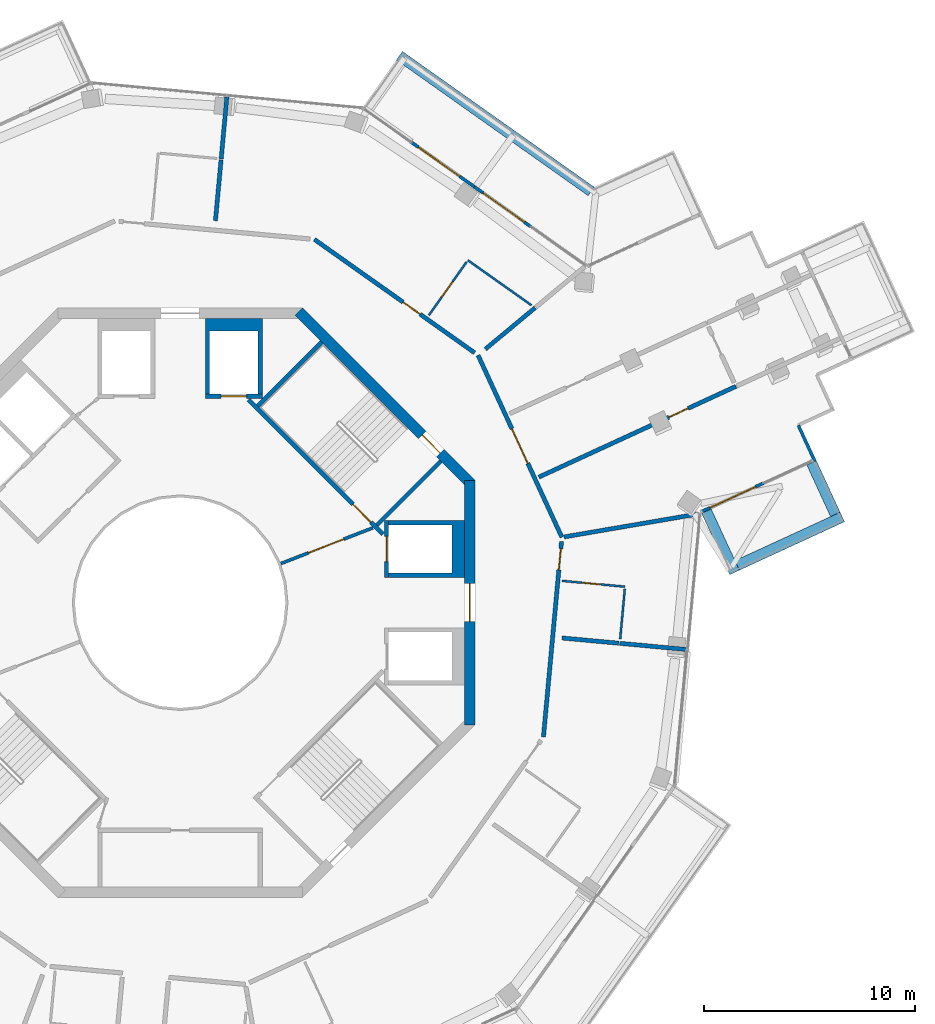
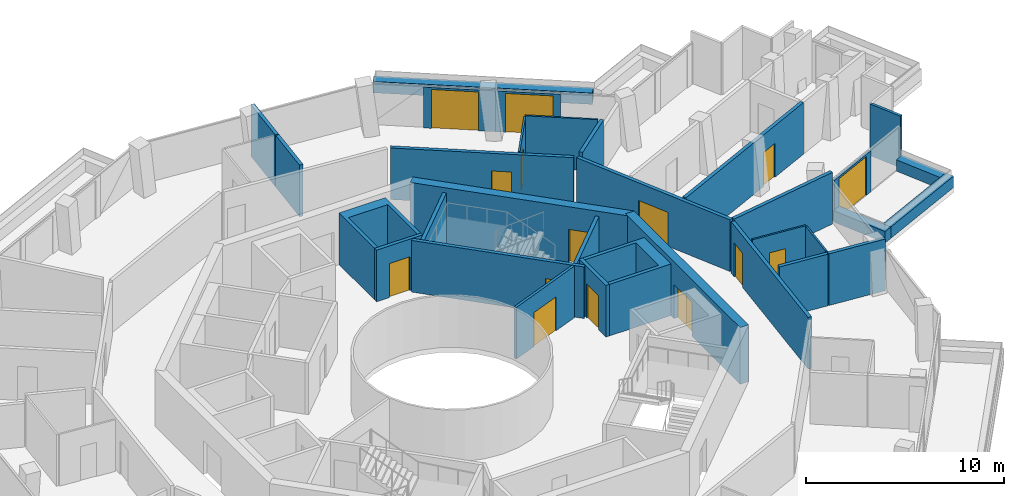
# One storey, part 19 of 23: 32 walls, 15 doors, 15 openings.
"""IFC4 building model written with IfcOpenShell, lengths in metres."""

import ifcopenshell
import ifcopenshell.guid

model = None  # the IFC model being written
_history = None  # IfcOwnerHistory: only IFC2X3 demands one
_inside = {}  # id of a spatial element -> (the spatial element, [elements in it])
_under = {}  # id of a project, library or spatial element -> (it, [spatial elements below it])
_declared = {}  # id of a project -> (the project, [libraries it declares])
_typed = {}  # id of a type object -> (the type object, [elements of that type])
_made_of = {}  # id of a material, layer set ... -> (it, [elements and type objects made of it])


def new_model(schema):
    """Start an empty IFC model of exactly this schema.

    Asked for "IFC4X3", IfcOpenShell would pick the latest addendum, in which some entities
    have other attributes; the version numbers below select the first issue.
    IFC2X3 requires an IfcOwnerHistory on every rooted entity: one is made here for all.
    """
    global model, _history
    if schema == "IFC4X3":
        model = ifcopenshell.file(schema_version=(4, 3, 0, 0))
    else:
        model = ifcopenshell.file(schema=schema)
    _inside.clear()
    _under.clear()
    _declared.clear()
    _typed.clear()
    _made_of.clear()
    _history = None
    if model.schema == "IFC2X3":
        org = make("IfcOrganization", Name="unknown")
        user = make(
            "IfcPersonAndOrganization",
            ThePerson=make("IfcPerson", FamilyName="unknown"),
            TheOrganization=org,
        )
        app = make(
            "IfcApplication",
            ApplicationDeveloper=org,
            Version="unknown",
            ApplicationFullName="unknown",
            ApplicationIdentifier="unknown",
        )
        _history = make(
            "IfcOwnerHistory",
            OwningUser=user,
            OwningApplication=app,
            ChangeAction="ADDED",
            CreationDate=0,
        )
    return model


def make(cls, **values):
    """One entity of the class cls with the attributes given. An attribute that is None is left unset."""
    return model.create_entity(
        cls, **{name: value for name, value in values.items() if value is not None}
    )


def rooted(cls, **values):
    """An entity with a GlobalId (a new one), such as an element, a storey or a relation."""
    return make(cls, GlobalId=ifcopenshell.guid.new(), OwnerHistory=_history, **values)


def si_unit(unit_type, name, prefix=None):
    """IfcSIUnit, for example si_unit("LENGTHUNIT", "METRE", prefix="MILLI")."""
    return make("IfcSIUnit", UnitType=unit_type, Prefix=prefix, Name=name)


def assignment(units):
    """IfcUnitAssignment: the units of a project."""
    return None if units is None else make("IfcUnitAssignment", Units=units)


def point(xyz):
    """IfcCartesianPoint."""
    return None if xyz is None else make("IfcCartesianPoint", Coordinates=xyz)


def direction(xyz):
    """IfcDirection."""
    return None if xyz is None else make("IfcDirection", DirectionRatios=xyz)


def frame(location, z_axis=None, x_axis=None):
    """IfcAxis2Placement3D, a coordinate frame: its origin and axes. An axis left out is left unset."""
    return make(
        "IfcAxis2Placement3D",
        Location=point(location),
        Axis=direction(z_axis),
        RefDirection=direction(x_axis),
    )


def frame_2d(location, x_axis=None):
    """IfcAxis2Placement2D, a coordinate frame in the plane: its origin and x axis."""
    return make(
        "IfcAxis2Placement2D", Location=point(location), RefDirection=direction(x_axis)
    )


def origin():
    """The frame at (0, 0, 0) with its axes left unset."""
    return frame((0.0, 0.0, 0.0))


def place(relative_to, where):
    """IfcLocalPlacement: puts the frame where relative to a parent placement (None: the world)."""
    return make(
        "IfcLocalPlacement", PlacementRelTo=relative_to, RelativePlacement=where
    )


def context(
    kind, dimensions, precision=None, world=None, true_north=None, identifier=None
):
    """IfcGeometricRepresentationContext, for example the 3D "Model" context."""
    return make(
        "IfcGeometricRepresentationContext",
        ContextIdentifier=identifier,
        ContextType=kind,
        CoordinateSpaceDimension=dimensions,
        Precision=precision,
        WorldCoordinateSystem=world,
        TrueNorth=true_north,
    )


def subcontext(parent, identifier, kind, view, scale=None):
    """IfcGeometricRepresentationSubContext, for example "Body" below "Model"."""
    return make(
        "IfcGeometricRepresentationSubContext",
        ContextIdentifier=identifier,
        ContextType=kind,
        ParentContext=parent,
        TargetScale=scale,
        TargetView=view,
    )


def project(units=None, contexts=None):
    """IfcProject with its units and contexts."""
    return rooted(
        "IfcProject",
        Name="project",
        RepresentationContexts=contexts,
        UnitsInContext=assignment(units),
    )


def spatial(cls, under=None, at=None, **own):
    """A site, building, storey or space (cls), placed at a placement, below another one or the project."""
    s = rooted(cls, ObjectPlacement=at, **own)
    if under is not None:
        _under.setdefault(under.id(), (under, []))[1].append(s)
    return s


def polyline(points):
    """IfcPolyline through the points."""
    return make("IfcPolyline", Points=[point(p) for p in points])


def profile(cls, at=None, kind="AREA", **sizes):
    """A parametric profile (cls). Its sizes go by their IFC names, for example OverallWidth=200.0."""
    return make(cls, ProfileType=kind, Position=at, **sizes)


def rectangle(**sizes):
    """IfcRectangleProfileDef."""
    return profile("IfcRectangleProfileDef", **sizes)


def outline(outer, holes=None, kind="AREA"):
    """IfcArbitraryClosedProfileDef: a profile drawn as a closed curve; with holes, ...WithVoids."""
    if holes is None:
        return make("IfcArbitraryClosedProfileDef", ProfileType=kind, OuterCurve=outer)
    return make(
        "IfcArbitraryProfileDefWithVoids",
        ProfileType=kind,
        OuterCurve=outer,
        InnerCurves=holes,
    )


def extrude(swept, where, along, depth):
    """IfcExtrudedAreaSolid: the profile swept, set in the frame where, extruded along a direction by depth."""
    return make(
        "IfcExtrudedAreaSolid",
        SweptArea=swept,
        Position=where,
        ExtrudedDirection=direction(along),
        Depth=depth,
    )


def shape(context_of_items, identifier, shape_type, items):
    """IfcShapeRepresentation: the items that make up one representation, for example the "Body"."""
    return make(
        "IfcShapeRepresentation",
        ContextOfItems=context_of_items,
        RepresentationIdentifier=identifier,
        RepresentationType=shape_type,
        Items=items,
    )


def material(Name=None, Category=None):
    """IfcMaterial."""
    return make("IfcMaterial", Name=Name, Category=Category)


def layer(
    of_material, thickness, ventilated=None, Name=None, Category=None, Priority=None
):
    """IfcMaterialLayer: one layer of a wall or slab, of a material (None: an air gap)."""
    return make(
        "IfcMaterialLayer",
        Material=of_material,
        LayerThickness=thickness,
        IsVentilated=ventilated,
        Name=Name,
        Category=Category,
        Priority=Priority,
    )


def layer_set(layers, Name=None):
    """IfcMaterialLayerSet."""
    return make("IfcMaterialLayerSet", MaterialLayers=layers, LayerSetName=Name)


def made_of(thing, what):
    """Note that an element or type object is made of a material, layer set ...; save() writes the relation."""
    if what is not None:
        _made_of.setdefault(what.id(), (what, []))[1].append(thing)
    return thing


def type_object(cls, material=None, **own):
    """A type object (cls), such as IfcWallType, which elements share."""
    return made_of(rooted(cls, **own), material)


def element(
    cls,
    number,
    at=None,
    inside=None,
    cuts=None,
    type_object=None,
    material=None,
    context=None,
    identifier="Body",
    shape_type=None,
    held_by="IfcProductDefinitionShape",
    body=None,
    shapes=None,
    **own,
):
    """One element of the class cls, such as IfcWall. Its Tag is "e" and its number.

    at: its placement. inside: the storey or other place that contains it. cuts: it is an
    opening in that element (IfcRelVoidsElement). A single representation is given by context,
    identifier, shape_type and body (its items); several are given by shapes. held_by: the class
    of the entity that holds the representations. save() writes the other relations.
    """
    e = rooted(cls, Tag="e%d" % number, ObjectPlacement=at, **own)
    if body is not None:
        shapes = [shape(context, identifier, shape_type, body)]
    if shapes is not None:
        e.Representation = make(held_by, Representations=shapes)
    if inside is not None:
        _inside.setdefault(inside.id(), (inside, []))[1].append(e)
    if cuts is not None:
        rooted(
            "IfcRelVoidsElement", RelatingBuildingElement=cuts, RelatedOpeningElement=e
        )
    if type_object is not None:
        _typed.setdefault(type_object.id(), (type_object, []))[1].append(e)
    return made_of(e, material)


def fill(opening, filler):
    """IfcRelFillsElement: the door or window that sits in an opening."""
    return rooted(
        "IfcRelFillsElement",
        RelatingOpeningElement=opening,
        RelatedBuildingElement=filler,
    )


def aggregate(whole, parts):
    """IfcRelAggregates: a whole, such as a stair, and the parts it consists of."""
    return rooted("IfcRelAggregates", RelatingObject=whole, RelatedObjects=parts)


def save(model, path):
    """Write the relations noted so far, then the file.

    IfcRelAggregates (storeys below a building ...), IfcRelContainedInSpatialStructure (elements
    in a storey), IfcRelDefinesByType, IfcRelAssociatesMaterial and IfcRelDeclares: one each for
    every whole, place, type object, material and project.
    """
    for whole, parts in _under.values():
        aggregate(whole, parts)
    for where, things in _inside.values():
        rooted(
            "IfcRelContainedInSpatialStructure",
            RelatedElements=things,
            RelatingStructure=where,
        )
    for kind, things in _typed.values():
        rooted("IfcRelDefinesByType", RelatedObjects=things, RelatingType=kind)
    for what, things in _made_of.values():
        rooted("IfcRelAssociatesMaterial", RelatedObjects=things, RelatingMaterial=what)
    for by, libraries in _declared.values():
        rooted("IfcRelDeclares", RelatingContext=by, RelatedDefinitions=libraries)
    model.write(path)


model = new_model("IFC4")

# Units and contexts
model_context = context("Model", 3, precision=1e-05, world=origin(), true_north=direction((0.0, 1.0)))
body_context = subcontext(model_context, "Body", "Model", "MODEL_VIEW")
ifc_project = project(units=[si_unit("LENGTHUNIT", "METRE"), si_unit("AREAUNIT", "SQUARE_METRE"), si_unit("VOLUMEUNIT", "CUBIC_METRE"), si_unit("PLANEANGLEUNIT", "RADIAN"), si_unit("MASSUNIT", "GRAM", prefix="KILO")], contexts=[model_context])

# Site, building, storey
site_placement = place(None, origin())
site = spatial("IfcSite", under=ifc_project, at=site_placement, CompositionType="ELEMENT")
building_placement = place(site_placement, origin())
building = spatial("IfcBuilding", under=site, at=building_placement, Name="Verdalira Terraces Hotel", CompositionType="ELEMENT")
storey_placement = place(building_placement, frame((0.0, 0.0, 256.0)))
storey = spatial("IfcBuildingStorey", under=building, at=storey_placement, Name="L63", CompositionType="ELEMENT", Elevation=256.0)

# Walls
ifc_material_1 = material(Name="Concrete C40", Category="concrete")
ifc_layer_1 = layer(ifc_material_1, 0.5)
ifc_layer_set_1 = layer_set([ifc_layer_1], Name="Balcony planter trough with tree")
wall_type_1 = type_object("IfcWallType", Name="Balcony planter trough with tree", PredefinedType="SOLIDWALL", material=ifc_layer_set_1)
wall_1_placement = place(storey_placement, frame((24.980957, 4.34375, 0.0), z_axis=(0.0, 0.0, 1.0), x_axis=(0.418225571, -0.908343202, 0.0)))
element("IfcWall", 1, at=wall_1_placement, inside=storey, type_object=wall_type_1, Name="Balcony planter", PredefinedType="SOLIDWALL", context=body_context, shape_type="SweptSolid", body=[
    extrude(rectangle(XDim=3.198975, YDim=0.5, at=frame_2d((1.599609, 0.0))), origin(), (0.0, 0.0, 1.0), 0.699951),
])
wall_2_placement = place(storey_placement, frame((26.441406, 1.769531, 0.0), z_axis=(0.0, 0.0, 1.0), x_axis=(0.90835683, 0.41819597, 0.0)))
element("IfcWall", 2, at=wall_2_placement, inside=storey, type_object=wall_type_1, Name="Balcony planter", PredefinedType="SOLIDWALL", context=body_context, shape_type="SweptSolid", body=[
    extrude(rectangle(XDim=5.49585, YDim=0.5, at=frame_2d((2.748047, 0.0))), origin(), (0.0, 0.0, 1.0), 0.699951),
])
wall_3_placement = place(storey_placement, frame((31.101807, 4.19043, 0.0), z_axis=(0.0, 0.0, 1.0), x_axis=(-0.418180333, 0.908364029, 0.0)))
element("IfcWall", 3, at=wall_3_placement, inside=storey, type_object=wall_type_1, Name="Balcony planter", PredefinedType="SOLIDWALL", context=body_context, shape_type="SweptSolid", body=[
    extrude(rectangle(XDim=2.698975, YDim=0.5, at=frame_2d((1.349609, 0.0))), origin(), (0.0, 0.0, 1.0), 0.699951),
])
wall_4_placement = place(storey_placement, frame((19.512695, 19.52417, 0.0), z_axis=(0.0, 0.0, 1.0), x_axis=(-0.816341876, 0.577568992, 0.0)))
element("IfcWall", 4, at=wall_4_placement, inside=storey, type_object=wall_type_1, Name="Balcony planter", PredefinedType="SOLIDWALL", context=body_context, shape_type="SweptSolid", body=[
    extrude(rectangle(XDim=11.1521, YDim=0.5, at=frame_2d((5.576172, 0.0))), origin(), (0.0, 0.0, 1.0), 0.699951),
])

# Wall, opening, door
ifc_material_2 = material(Name="Moisture-resistant gypsum board partition")
ifc_layer_2 = layer(ifc_material_2, 0.10009765625)
ifc_layer_set_2 = layer_set([ifc_layer_2], Name="Bathroom partition 100 mm")
wall_type_2 = type_object("IfcWallType", Name="Bathroom partition 100 mm", PredefinedType="PARTITIONING", material=ifc_layer_set_2)
wall_5_placement = place(storey_placement, frame((13.598145, 16.175293, 0.0), z_axis=(0.0, 0.0, 1.0), x_axis=(-0.577567137, -0.816343189, 0.0)))
wall_5 = element("IfcWall", 5, at=wall_5_placement, inside=storey, type_object=wall_type_2, Name="Bathroom partition", PredefinedType="PARTITIONING", context=body_context, shape_type="SweptSolid", body=[
    extrude(rectangle(XDim=3.100098, YDim=0.100098, at=frame_2d((1.550049, 0.0))), origin(), (0.0, 0.0, 1.0), 3.189941),
])
opening_1_placement = place(wall_5_placement, frame((1.149902, 0.0, 0.0)))
opening_1 = element("IfcOpeningElement", 6, at=opening_1_placement, cuts=wall_5, Name="Opening L63-126", PredefinedType="OPENING", context=body_context, shape_type="SweptSolid", body=[
    extrude(rectangle(XDim=0.899902, YDim=2.100098, at=frame_2d((0.449951, 1.050049))), frame((0.0, 0.060059, 0.0), z_axis=(0.0, -1.0, 0.0), x_axis=(1.0, 0.0, 0.0)), (0.0, 0.0, 1.0), 0.120117),
])
ifc_material_3 = material(Name="Timber door", Category="wood")
door_type_1 = type_object("IfcDoorType", Name="Bathroom door 900 x 2100", OperationType="NOTDEFINED", PredefinedType="DOOR", material=ifc_material_3)
door_1_placement = place(opening_1_placement, origin())
door_1 = element("IfcDoor", 7, at=door_1_placement, inside=storey, type_object=door_type_1, Name="Bathroom door 6311", OperationType="SINGLE_SWING_LEFT", OverallHeight=2.10009765625, OverallWidth=0.89990234375, PredefinedType="DOOR", context=body_context, shape_type="SweptSolid", body=[
    extrude(rectangle(XDim=0.899902, YDim=2.100098, at=frame_2d((0.449951, 1.050049))), frame((0.0, 0.024902, 0.0), z_axis=(0.0, -1.0, 0.0), x_axis=(1.0, 0.0, 0.0)), (0.0, 0.0, 1.0), 0.050049),
])
fill(opening_1, door_1)

# Wall
wall_6_placement = place(storey_placement, frame((13.656006, 16.256836, 0.0), z_axis=(0.0, 0.0, 1.0), x_axis=(0.816326196, -0.577591155, 0.0)))
element("IfcWall", 8, at=wall_6_placement, inside=storey, type_object=wall_type_2, Name="Bathroom partition", PredefinedType="PARTITIONING", context=body_context, shape_type="SweptSolid", body=[
    extrude(rectangle(XDim=3.704102, YDim=0.100098, at=frame_2d((1.852051, 0.0))), origin(), (0.0, 0.0, 1.0), 3.189941),
])

# Wall, opening, door
wall_7_placement = place(storey_placement, frame((21.11792, 0.76001, 0.0), z_axis=(0.0, 0.0, 1.0), x_axis=(-0.995762782, 0.091959132, 0.0)))
wall_7 = element("IfcWall", 9, at=wall_7_placement, inside=storey, type_object=wall_type_2, Name="Bathroom partition", PredefinedType="PARTITIONING", context=body_context, shape_type="SweptSolid", body=[
    extrude(rectangle(XDim=3.0, YDim=0.100098, at=frame_2d((1.5, 0.0))), origin(), (0.0, 0.0, 1.0), 3.189941),
])
opening_2_placement = place(wall_7_placement, frame((1.149902, 0.0, 0.0)))
opening_2 = element("IfcOpeningElement", 10, at=opening_2_placement, cuts=wall_7, Name="Opening L63-120", PredefinedType="OPENING", context=body_context, shape_type="SweptSolid", body=[
    extrude(rectangle(XDim=0.899902, YDim=2.100098, at=frame_2d((0.449951, 1.050049))), frame((0.0, 0.060059, 0.0), z_axis=(0.0, -1.0, 0.0), x_axis=(1.0, 0.0, 0.0)), (0.0, 0.0, 1.0), 0.120117),
])
door_2_placement = place(opening_2_placement, origin())
door_2 = element("IfcDoor", 11, at=door_2_placement, inside=storey, type_object=door_type_1, Name="Bathroom door 6309", OperationType="SINGLE_SWING_LEFT", OverallHeight=2.10009765625, OverallWidth=0.89990234375, PredefinedType="DOOR", context=body_context, shape_type="SweptSolid", body=[
    extrude(rectangle(XDim=0.899902, YDim=2.100098, at=frame_2d((0.449951, 1.050049))), frame((0.0, 0.024902, 0.0), z_axis=(0.0, -1.0, 0.0), x_axis=(1.0, 0.0, 0.0)), (0.0, 0.0, 1.0), 0.050049),
])
fill(opening_2, door_2)

# Walls
wall_8_placement = place(storey_placement, frame((21.108643, 0.6604, 0.0), z_axis=(0.0, 0.0, 1.0), x_axis=(-0.09205813, -0.995753634, 0.0)))
element("IfcWall", 12, at=wall_8_placement, inside=storey, type_object=wall_type_2, Name="Bathroom partition", PredefinedType="PARTITIONING", context=body_context, shape_type="SweptSolid", body=[
    extrude(rectangle(XDim=2.400146, YDim=0.100098, at=frame_2d((1.200195, 0.0))), origin(), (0.0, 0.0, 1.0), 3.189941),
])
ifc_material_4 = material(Name="Concrete C50", Category="concrete")
ifc_layer_3 = layer(ifc_material_4, 0.199951171875)
ifc_layer_set_3 = layer_set([ifc_layer_3], Name="Core RC wall 200 C50")
wall_type_3 = type_object("IfcWallType", Name="Core RC wall 200 C50", PredefinedType="SOLIDWALL", material=ifc_layer_set_3)
wall_9_placement = place(storey_placement, origin())
element("IfcWall", 13, at=wall_9_placement, inside=storey, type_object=wall_type_3, Name="L63 shaft wall E2", PredefinedType="SOLIDWALL", context=body_context, shape_type="SweptSolid", body=[
    extrude(outline(polyline([(13.5, 3.899902), (13.5, 1.199951), (9.899902, 1.199951), (9.899902, 1.399902), (12.899902, 1.399902), (12.899902, 3.699951), (9.899902, 3.699951), (9.899902, 3.899902), (13.5, 3.899902)])), origin(), (0.0, 0.0, 1.0), 3.189941),
])

# Wall, opening, door
wall_10_placement = place(storey_placement, frame((9.800049, 1.199951, 0.0), z_axis=(0.0, 0.0, 1.0), x_axis=(0.0, 1.0, 0.0)))
wall_10 = element("IfcWall", 14, at=wall_10_placement, inside=storey, type_object=wall_type_3, Name="L63 shaft front wall E2", PredefinedType="SOLIDWALL", context=body_context, shape_type="SweptSolid", body=[
    extrude(rectangle(XDim=2.699951, YDim=0.199951, at=frame_2d((1.350098, 0.0))), origin(), (0.0, 0.0, 1.0), 3.189941),
])
opening_3_placement = place(wall_10_placement, frame((0.75, 0.0, 0.0)))
opening_3 = element("IfcOpeningElement", 15, at=opening_3_placement, cuts=wall_10, Name="Opening LD-L63-803", PredefinedType="OPENING", context=body_context, shape_type="SweptSolid", body=[
    extrude(rectangle(XDim=1.199951, YDim=2.100098, at=frame_2d((0.600098, 1.050049))), frame((0.0, 0.109863, 0.0), z_axis=(0.0, -1.0, 0.0), x_axis=(1.0, 0.0, 0.0)), (0.0, 0.0, 1.0), 0.219971),
])
ifc_material_5 = material(Name="Stainless steel", Category="steel")
door_type_2 = type_object("IfcDoorType", Name="Landing door 1200 x 2100", OperationType="NOTDEFINED", PredefinedType="DOOR", material=ifc_material_5)
door_3_placement = place(opening_3_placement, origin())
door_3 = element("IfcDoor", 16, at=door_3_placement, inside=storey, type_object=door_type_2, Name="Lift landing door HR2 L63", OperationType="DOUBLE_DOOR_SLIDING", OverallHeight=2.10009765625, OverallWidth=1.199951171875, PredefinedType="DOOR", context=body_context, shape_type="SweptSolid", body=[
    extrude(rectangle(XDim=1.199951, YDim=2.100098, at=frame_2d((0.600098, 1.050049))), frame((0.0, 0.024902, 0.0), z_axis=(0.0, -1.0, 0.0), x_axis=(1.0, 0.0, 0.0)), (0.0, 0.0, 1.0), 0.050049),
])
fill(opening_3, door_3)

# Wall
wall_11_placement = place(storey_placement, origin())
element("IfcWall", 17, at=wall_11_placement, inside=storey, type_object=wall_type_3, Name="L63 shaft wall N1", PredefinedType="SOLIDWALL", context=body_context, shape_type="SweptSolid", body=[
    extrude(outline(polyline([(3.899902, 9.899902), (3.699951, 9.899902), (3.699951, 12.899902), (1.399902, 12.899902), (1.399902, 9.899902), (1.199951, 9.899902), (1.199951, 13.5), (3.899902, 13.5), (3.899902, 9.899902)])), origin(), (0.0, 0.0, 1.0), 3.189941),
])

# Wall, opening, door
wall_12_placement = place(storey_placement, frame((1.199951, 9.800049, 0.0), z_axis=(0.0, 0.0, 1.0), x_axis=(1.0, 0.0, 0.0)))
wall_12 = element("IfcWall", 18, at=wall_12_placement, inside=storey, type_object=wall_type_3, Name="L63 shaft front wall N1", PredefinedType="SOLIDWALL", context=body_context, shape_type="SweptSolid", body=[
    extrude(rectangle(XDim=2.699951, YDim=0.199951, at=frame_2d((1.350098, 0.0))), origin(), (0.0, 0.0, 1.0), 3.189941),
])
opening_4_placement = place(wall_12_placement, frame((0.75, 0.0, 0.0)))
opening_4 = element("IfcOpeningElement", 19, at=opening_4_placement, cuts=wall_12, Name="Opening LD-L63-804", PredefinedType="OPENING", context=body_context, shape_type="SweptSolid", body=[
    extrude(rectangle(XDim=1.199951, YDim=2.100098, at=frame_2d((0.600098, 1.050049))), frame((0.0, 0.109863, 0.0), z_axis=(0.0, -1.0, 0.0), x_axis=(1.0, 0.0, 0.0)), (0.0, 0.0, 1.0), 0.219971),
])
door_4_placement = place(opening_4_placement, origin())
door_4 = element("IfcDoor", 20, at=door_4_placement, inside=storey, type_object=door_type_2, Name="Lift landing door HR3 L63", OperationType="DOUBLE_DOOR_SLIDING", OverallHeight=2.10009765625, OverallWidth=1.199951171875, PredefinedType="DOOR", context=body_context, shape_type="SweptSolid", body=[
    extrude(rectangle(XDim=1.199951, YDim=2.100098, at=frame_2d((0.600098, 1.050049))), frame((0.0, 0.024902, 0.0), z_axis=(0.0, -1.0, 0.0), x_axis=(1.0, 0.0, 0.0)), (0.0, 0.0, 1.0), 0.050049),
])
fill(opening_4, door_4)

wall_13_placement = place(storey_placement, frame((3.23999, 9.629395, 0.0), z_axis=(0.0, 0.0, 1.0), x_axis=(0.707106781, -0.707106781, 0.0)))
wall_13 = element("IfcWall", 21, at=wall_13_placement, inside=storey, type_object=wall_type_3, Name="L63 stair ST1 front wall", PredefinedType="SOLIDWALL", context=body_context, shape_type="SweptSolid", body=[
    extrude(rectangle(XDim=9.035889, YDim=0.199951, at=frame_2d((4.518066, 0.0))), origin(), (0.0, 0.0, 1.0), 3.189941),
])
opening_5_placement = place(wall_13_placement, frame((7.017822, 0.0, 0.0)))
opening_5 = element("IfcOpeningElement", 22, at=opening_5_placement, cuts=wall_13, Name="Opening L63-810", PredefinedType="OPENING", context=body_context, shape_type="SweptSolid", body=[
    extrude(rectangle(XDim=1.199951, YDim=2.100098, at=frame_2d((0.600098, 1.050049))), frame((0.0, 0.109863, 0.0), z_axis=(0.0, -1.0, 0.0), x_axis=(1.0, 0.0, 0.0)), (0.0, 0.0, 1.0), 0.219971),
])
ifc_material_6 = material(Name="Steel fire door", Category="steel")
door_type_3 = type_object("IfcDoorType", Name="Stair door 1200 x 2100", OperationType="NOTDEFINED", PredefinedType="DOOR", material=ifc_material_6)
door_5_placement = place(opening_5_placement, origin())
door_5 = element("IfcDoor", 23, at=door_5_placement, inside=storey, type_object=door_type_3, Name="Stair door ST1 L63", OperationType="SINGLE_SWING_RIGHT", OverallHeight=2.10009765625, OverallWidth=1.199951171875, PredefinedType="DOOR", context=body_context, shape_type="SweptSolid", body=[
    extrude(rectangle(XDim=1.199951, YDim=2.100098, at=frame_2d((0.600098, 1.050049))), frame((0.0, 0.024902, 0.0), z_axis=(0.0, -1.0, 0.0), x_axis=(1.0, 0.0, 0.0)), (0.0, 0.0, 1.0), 0.050049),
])
fill(opening_5, door_5)

# Walls
for number, where, z_axis, x_axis, name in (
    (24, (9.33374, 3.677002, 0.0), (0.0, 0.0, 1.0), (0.707135168, 0.707078393, 0.0), "L63 stair ST1 end wall 1"),
    (25, (3.677002, 9.33374, 0.0), (0.0, 0.0, 1.0), (0.707078393, 0.707135168, 0.0), "L63 stair ST1 end wall 2"),
):
    element("IfcWall", number, at=place(storey_placement, frame(where, z_axis=z_axis, x_axis=x_axis)), inside=storey, type_object=wall_type_3, Name=name, PredefinedType="SOLIDWALL", context=body_context, shape_type="SweptSolid", body=[
        extrude(rectangle(XDim=4.300049, YDim=0.199951, at=frame_2d((2.149902, 0.0))), origin(), (0.0, 0.0, 1.0), 3.189941),
    ])

# Wall, opening, door
ifc_material_7 = material(Name="Gypsum board partition")
ifc_layer_4 = layer(ifc_material_7, 0.14990234375)
ifc_layer_set_4 = layer_set([ifc_layer_4], Name="Core partition 150 mm")
wall_type_4 = type_object("IfcWallType", Name="Core partition 150 mm", PredefinedType="PARTITIONING", material=ifc_layer_set_4)
wall_14_placement = place(storey_placement, frame((4.781982, 1.857178, 0.0), z_axis=(0.0, 0.0, 1.0), x_axis=(0.932155279, 0.362058746, 0.0)))
wall_14 = element("IfcWall", 26, at=wall_14_placement, inside=storey, type_object=wall_type_4, Name="Gallery fire partition L63", PredefinedType="PARTITIONING", context=body_context, shape_type="SweptSolid", body=[
    extrude(rectangle(XDim=4.682373, YDim=0.149902, at=frame_2d((2.341309, 0.0))), origin(), (0.0, 0.0, 1.0), 3.189941),
])
opening_6_placement = place(wall_14_placement, frame((1.399902, 0.0, 0.0)))
opening_6 = element("IfcOpeningElement", 27, at=opening_6_placement, cuts=wall_14, Name="Opening L63-823", PredefinedType="OPENING", context=body_context, shape_type="SweptSolid", body=[
    extrude(rectangle(XDim=1.800049, YDim=2.100098, at=frame_2d((0.899902, 1.050049))), frame((0.0, 0.084961, 0.0), z_axis=(0.0, -1.0, 0.0), x_axis=(1.0, 0.0, 0.0)), (0.0, 0.0, 1.0), 0.169922),
])
ifc_material_8 = material(Name="Steel fire door", Category="steel")
door_type_4 = type_object("IfcDoorType", Name="Gallery fire door pair 1800 x 2100", OperationType="NOTDEFINED", PredefinedType="DOOR", material=ifc_material_8)
door_6_placement = place(opening_6_placement, origin())
door_6 = element("IfcDoor", 28, at=door_6_placement, inside=storey, type_object=door_type_4, Name="Door L63 split0", OperationType="DOUBLE_DOOR_SINGLE_SWING", OverallHeight=2.10009765625, OverallWidth=1.800048828125, PredefinedType="DOOR", context=body_context, shape_type="SweptSolid", body=[
    extrude(rectangle(XDim=1.800049, YDim=2.100098, at=frame_2d((0.899902, 1.050049))), frame((0.0, 0.024902, 0.0), z_axis=(0.0, -1.0, 0.0), x_axis=(1.0, 0.0, 0.0)), (0.0, 0.0, 1.0), 0.050049),
])
fill(opening_6, door_6)

ifc_material_9 = material(Name="Concrete C50", Category="concrete")
ifc_layer_5 = layer(ifc_material_9, 0.5)
ifc_layer_set_5 = layer_set([ifc_layer_5], Name="Core wall 500 C50")
wall_type_5 = type_object("IfcWallType", Name="Core wall 500 C50", PredefinedType="SHEAR", material=ifc_layer_set_5)
wall_15_placement = place(storey_placement, frame((13.75, -5.799072, 0.0), z_axis=(0.0, 0.0, 1.0), x_axis=(0.0, 1.0, 0.0)))
wall_15 = element("IfcWall", 29, at=wall_15_placement, inside=storey, type_object=wall_type_5, Name="Core wall CW-L63-1", PredefinedType="SHEAR", context=body_context, shape_type="SweptSolid", body=[
    extrude(rectangle(XDim=11.598145, YDim=0.5, at=frame_2d((5.799072, 0.0))), origin(), (0.0, 0.0, 1.0), 3.5),
])
opening_7_placement = place(wall_15_placement, frame((4.898926, 0.0, 0.0)))
opening_7 = element("IfcOpeningElement", 30, at=opening_7_placement, cuts=wall_15, Name="Opening L63-813", PredefinedType="OPENING", context=body_context, shape_type="SweptSolid", body=[
    extrude(rectangle(XDim=1.800049, YDim=2.100098, at=frame_2d((0.899902, 1.050049))), frame((0.0, 0.26001, 0.0), z_axis=(0.0, -1.0, 0.0), x_axis=(1.0, 0.0, 0.0)), (0.0, 0.0, 1.0), 0.52002),
])
ifc_material_10 = material(Name="Steel fire door", Category="steel")
door_type_5 = type_object("IfcDoorType", Name="Core entry door pair 1800 x 2100", OperationType="NOTDEFINED", PredefinedType="DOOR", material=ifc_material_10)
door_7_placement = place(opening_7_placement, origin())
door_7 = element("IfcDoor", 31, at=door_7_placement, inside=storey, type_object=door_type_5, Name="Core entry door L63 0", OperationType="DOUBLE_DOOR_SINGLE_SWING", OverallHeight=2.10009765625, OverallWidth=1.800048828125, PredefinedType="DOOR", context=body_context, shape_type="SweptSolid", body=[
    extrude(rectangle(XDim=1.800049, YDim=2.100098, at=frame_2d((0.899902, 1.050049))), frame((0.0, 0.024902, 0.0), z_axis=(0.0, -1.0, 0.0), x_axis=(1.0, 0.0, 0.0)), (0.0, 0.0, 1.0), 0.050049),
])
fill(opening_7, door_7)

wall_16_placement = place(storey_placement, frame((13.823242, 5.622314, 0.0), z_axis=(0.0, 0.0, 1.0), x_axis=(-0.707106781, 0.707106781, 0.0)))
wall_16 = element("IfcWall", 32, at=wall_16_placement, inside=storey, type_object=wall_type_5, Name="Core wall CW-L63-2", PredefinedType="SHEAR", context=body_context, shape_type="SweptSolid", body=[
    extrude(rectangle(XDim=11.5979, YDim=0.5, at=frame_2d((5.798828, 0.0))), origin(), (0.0, 0.0, 1.0), 3.5),
])
opening_8_placement = place(wall_16_placement, frame((2.099121, 0.0, 0.0)))
opening_8 = element("IfcOpeningElement", 33, at=opening_8_placement, cuts=wall_16, Name="Opening L63-816", PredefinedType="OPENING", context=body_context, shape_type="SweptSolid", body=[
    extrude(rectangle(XDim=1.199951, YDim=2.100098, at=frame_2d((0.600098, 1.050049))), frame((0.0, 0.26001, 0.0), z_axis=(0.0, -1.0, 0.0), x_axis=(1.0, 0.0, 0.0)), (0.0, 0.0, 1.0), 0.52002),
])
door_8_placement = place(opening_8_placement, origin())
door_8 = element("IfcDoor", 34, at=door_8_placement, inside=storey, type_object=door_type_3, Name="Stair exit door ST1 L63", OperationType="SINGLE_SWING_LEFT", OverallHeight=2.10009765625, OverallWidth=1.199951171875, PredefinedType="DOOR", context=body_context, shape_type="SweptSolid", body=[
    extrude(rectangle(XDim=1.199951, YDim=2.100098, at=frame_2d((0.600098, 1.050049))), frame((0.0, 0.024902, 0.0), z_axis=(0.0, -1.0, 0.0), x_axis=(1.0, 0.0, 0.0)), (0.0, 0.0, 1.0), 0.050049),
])
fill(opening_8, door_8)

# Walls
ifc_material_11 = material(Name="Fire-rated gypsum board wall")
ifc_layer_6 = layer(ifc_material_11, 0.199951171875)
ifc_layer_set_6 = layer_set([ifc_layer_6], Name="Demising wall 200 mm")
wall_type_6 = type_object("IfcWallType", Name="Demising wall 200 mm", PredefinedType="SOLIDWALL", material=ifc_layer_set_6)
wall_17_placement = place(storey_placement, frame((1.675293, 18.128418, 0.0), z_axis=(0.0, 0.0, 1.0), x_axis=(0.092036166, 0.995755665, 0.0)))
element("IfcWall", 35, at=wall_17_placement, inside=storey, type_object=wall_type_6, Name="Demising wall", PredefinedType="SOLIDWALL", context=body_context, shape_type="SweptSolid", body=[
    extrude(rectangle(XDim=2.904541, YDim=0.199951, at=frame_2d((1.452148, 0.0))), origin(), (0.0, 0.0, 1.0), 3.189941),
])
wall_18_placement = place(storey_placement, frame((1.947021, 21.06665, 0.0), z_axis=(0.0, 0.0, 1.0), x_axis=(0.091967389, 0.995762019, 0.0)))
element("IfcWall", 36, at=wall_18_placement, inside=storey, type_object=wall_type_6, Name="Demising wall", PredefinedType="SOLIDWALL", context=body_context, shape_type="SweptSolid", body=[
    extrude(rectangle(XDim=2.951904, YDim=0.199951, at=frame_2d((1.476074, 0.0))), origin(), (0.0, 0.0, 1.0), 3.189941),
])
wall_19_placement = place(storey_placement, frame((14.485107, 12.03418, 0.0), z_axis=(0.0, 0.0, 1.0), x_axis=(0.769138135, 0.639082569, 0.0)))
element("IfcWall", 37, at=wall_19_placement, inside=storey, type_object=wall_type_6, Name="Demising wall", PredefinedType="SOLIDWALL", context=body_context, shape_type="SweptSolid", body=[
    extrude(rectangle(XDim=3.074951, YDim=0.199951, at=frame_2d((1.537598, 0.0))), origin(), (0.0, 0.0, 1.0), 3.189941),
])
wall_20_placement = place(storey_placement, frame((18.128418, -1.675293, 0.0), z_axis=(0.0, 0.0, 1.0), x_axis=(0.995752176, -0.092073903, 0.0)))
element("IfcWall", 38, at=wall_20_placement, inside=storey, type_object=wall_type_6, Name="Demising wall", PredefinedType="SOLIDWALL", context=body_context, shape_type="SweptSolid", body=[
    extrude(rectangle(XDim=2.70459, YDim=0.199951, at=frame_2d((1.352295, 0.0))), origin(), (0.0, 0.0, 1.0), 3.189941),
])
wall_21_placement = place(storey_placement, frame((24.605713, 4.214844, 0.0), z_axis=(0.0, 0.0, 1.0), x_axis=(-0.985640008, -0.16886022, 0.0)))
element("IfcWall", 39, at=wall_21_placement, inside=storey, type_object=wall_type_6, Name="Demising wall", PredefinedType="SOLIDWALL", context=body_context, shape_type="SweptSolid", body=[
    extrude(rectangle(XDim=6.47583, YDim=0.199951, at=frame_2d((3.237793, 0.0))), origin(), (0.0, 0.0, 1.0), 3.189941),
])

# Wall, opening, door
wall_22_placement = place(storey_placement, frame((26.383545, 10.269531, 0.0), z_axis=(0.0, 0.0, 1.0), x_axis=(-0.908353644, -0.41820289, 0.0)))
wall_22 = element("IfcWall", 40, at=wall_22_placement, inside=storey, type_object=wall_type_6, Name="Demising wall", PredefinedType="SOLIDWALL", context=body_context, shape_type="SweptSolid", body=[
    extrude(rectangle(XDim=10.302002, YDim=0.199951, at=frame_2d((5.150879, 0.0))), origin(), (0.0, 0.0, 1.0), 3.189941),
])
opening_9_placement = place(wall_22_placement, frame((2.5, 0.0, 0.0)))
opening_9 = element("IfcOpeningElement", 41, at=opening_9_placement, cuts=wall_22, Name="Opening L63-122", PredefinedType="OPENING", context=body_context, shape_type="SweptSolid", body=[
    extrude(rectangle(XDim=1.0, YDim=2.100098, at=frame_2d((0.5, 1.050049))), frame((0.0, 0.109863, 0.0), z_axis=(0.0, -1.0, 0.0), x_axis=(1.0, 0.0, 0.0)), (0.0, 0.0, 1.0), 0.219971),
])
ifc_material_12 = material(Name="Timber fire door", Category="wood")
door_type_6 = type_object("IfcDoorType", Name="Public room door 1000 x 2100", OperationType="NOTDEFINED", PredefinedType="DOOR", material=ifc_material_12)
door_9_placement = place(opening_9_placement, origin())
door_9 = element("IfcDoor", 42, at=door_9_placement, inside=storey, type_object=door_type_6, Name="Public room door 6310", OperationType="SINGLE_SWING_LEFT", OverallHeight=2.10009765625, OverallWidth=1.0, PredefinedType="DOOR", context=body_context, shape_type="SweptSolid", body=[
    extrude(rectangle(XDim=1.0, YDim=2.100098, at=frame_2d((0.5, 1.050049))), frame((0.0, 0.024902, 0.0), z_axis=(0.0, -1.0, 0.0), x_axis=(1.0, 0.0, 0.0)), (0.0, 0.0, 1.0), 0.050049),
])
fill(opening_9, door_9)

# Wall
wall_23_placement = place(storey_placement, frame((20.867432, -1.928467, 0.0), z_axis=(0.0, 0.0, 1.0), x_axis=(0.995757513, -0.092016173, 0.0)))
element("IfcWall", 43, at=wall_23_placement, inside=storey, type_object=wall_type_6, Name="Demising wall", PredefinedType="SOLIDWALL", context=body_context, shape_type="SweptSolid", body=[
    extrude(rectangle(XDim=3.1521, YDim=0.199951, at=frame_2d((1.576172, 0.0))), origin(), (0.0, 0.0, 1.0), 3.189941),
])

# Wall, opening, door
ifc_material_13 = material(Name="Fire-rated gypsum board wall")
ifc_layer_7 = layer(ifc_material_13, 0.199951171875)
ifc_layer_set_7 = layer_set([ifc_layer_7], Name="Guest corridor wall 200 mm")
wall_type_7 = type_object("IfcWallType", Name="Guest corridor wall 200 mm", PredefinedType="SOLIDWALL", material=ifc_layer_set_7)
wall_24_placement = place(storey_placement, frame((6.372803, 17.244873, 0.0), z_axis=(0.0, 0.0, 1.0), x_axis=(0.816328241, -0.577588264, 0.0)))
wall_24 = element("IfcWall", 44, at=wall_24_placement, inside=storey, type_object=wall_type_7, Name="Guest corridor wall", PredefinedType="SOLIDWALL", context=body_context, shape_type="SweptSolid", body=[
    extrude(rectangle(XDim=9.316162, YDim=0.199951, at=frame_2d((4.658203, 0.0))), origin(), (0.0, 0.0, 1.0), 3.189941),
])
opening_10_placement = place(wall_24_placement, frame((5.149902, 0.0, 0.0)))
opening_10 = element("IfcOpeningElement", 45, at=opening_10_placement, cuts=wall_24, Name="Opening L63-125", PredefinedType="OPENING", context=body_context, shape_type="SweptSolid", body=[
    extrude(rectangle(XDim=1.0, YDim=2.100098, at=frame_2d((0.5, 1.050049))), frame((0.0, 0.109863, 0.0), z_axis=(0.0, -1.0, 0.0), x_axis=(1.0, 0.0, 0.0)), (0.0, 0.0, 1.0), 0.219971),
])
ifc_material_14 = material(Name="Timber fire door", Category="wood")
door_type_7 = type_object("IfcDoorType", Name="Guest entry door 1000 x 2100", OperationType="NOTDEFINED", PredefinedType="DOOR", material=ifc_material_14)
door_10_placement = place(opening_10_placement, origin())
door_10 = element("IfcDoor", 46, at=door_10_placement, inside=storey, type_object=door_type_7, Name="Guest entry door 6311", OperationType="SINGLE_SWING_LEFT", OverallHeight=2.10009765625, OverallWidth=1.0, PredefinedType="DOOR", context=body_context, shape_type="SweptSolid", body=[
    extrude(rectangle(XDim=1.0, YDim=2.100098, at=frame_2d((0.5, 1.050049))), frame((0.0, 0.024902, 0.0), z_axis=(0.0, -1.0, 0.0), x_axis=(1.0, 0.0, 0.0)), (0.0, 0.0, 1.0), 0.050049),
])
fill(opening_10, door_10)

wall_25_placement = place(storey_placement, frame((14.141113, 11.748535, 0.0), z_axis=(0.0, 0.0, 1.0), x_axis=(0.418187622, -0.908360673, 0.0)))
wall_25 = element("IfcWall", 47, at=wall_25_placement, inside=storey, type_object=wall_type_7, Name="Guest corridor wall", PredefinedType="SOLIDWALL", context=body_context, shape_type="SweptSolid", body=[
    extrude(rectangle(XDim=9.516602, YDim=0.199951, at=frame_2d((4.758301, 0.0))), origin(), (0.0, 0.0, 1.0), 3.189941),
])
opening_11_placement = place(wall_25_placement, frame((3.848389, 0.0, 0.0)))
opening_11 = element("IfcOpeningElement", 48, at=opening_11_placement, cuts=wall_25, Name="Opening L63-121", PredefinedType="OPENING", context=body_context, shape_type="SweptSolid", body=[
    extrude(rectangle(XDim=1.800049, YDim=2.100098, at=frame_2d((0.899902, 1.050049))), frame((0.0, 0.109863, 0.0), z_axis=(0.0, -1.0, 0.0), x_axis=(1.0, 0.0, 0.0)), (0.0, 0.0, 1.0), 0.219971),
])
ifc_material_15 = material(Name="Timber fire door", Category="wood")
door_type_8 = type_object("IfcDoorType", Name="Public room double door 1800 x 2100", OperationType="NOTDEFINED", PredefinedType="DOOR", material=ifc_material_15)
door_11_placement = place(opening_11_placement, origin())
door_11 = element("IfcDoor", 49, at=door_11_placement, inside=storey, type_object=door_type_8, Name="Public room double door 6310", OperationType="DOUBLE_DOOR_SINGLE_SWING", OverallHeight=2.10009765625, OverallWidth=1.800048828125, PredefinedType="DOOR", context=body_context, shape_type="SweptSolid", body=[
    extrude(rectangle(XDim=1.800049, YDim=2.100098, at=frame_2d((0.899902, 1.050049))), frame((0.0, 0.024902, 0.0), z_axis=(0.0, -1.0, 0.0), x_axis=(1.0, 0.0, 0.0)), (0.0, 0.0, 1.0), 0.050049),
])
fill(opening_11, door_11)

wall_26_placement = place(storey_placement, frame((18.102539, 2.904785, 0.0), z_axis=(0.0, 0.0, 1.0), x_axis=(-0.092036054, -0.995755675, 0.0)))
wall_26 = element("IfcWall", 50, at=wall_26_placement, inside=storey, type_object=wall_type_7, Name="Guest corridor wall", PredefinedType="SOLIDWALL", context=body_context, shape_type="SweptSolid", body=[
    extrude(rectangle(XDim=9.316162, YDim=0.199951, at=frame_2d((4.658203, 0.0))), origin(), (0.0, 0.0, 1.0), 3.189941),
])
opening_12_placement = place(wall_26_placement, frame((0.350098, 0.0, 0.0)))
opening_12 = element("IfcOpeningElement", 51, at=opening_12_placement, cuts=wall_26, Name="Opening L63-119", PredefinedType="OPENING", context=body_context, shape_type="SweptSolid", body=[
    extrude(rectangle(XDim=1.0, YDim=2.100098, at=frame_2d((0.5, 1.050049))), frame((0.0, 0.109863, 0.0), z_axis=(0.0, -1.0, 0.0), x_axis=(1.0, 0.0, 0.0)), (0.0, 0.0, 1.0), 0.219971),
])
door_12_placement = place(opening_12_placement, origin())
door_12 = element("IfcDoor", 52, at=door_12_placement, inside=storey, type_object=door_type_7, Name="Guest entry door 6309", OperationType="SINGLE_SWING_LEFT", OverallHeight=2.10009765625, OverallWidth=1.0, PredefinedType="DOOR", context=body_context, shape_type="SweptSolid", body=[
    extrude(rectangle(XDim=1.0, YDim=2.100098, at=frame_2d((0.5, 1.050049))), frame((0.0, 0.024902, 0.0), z_axis=(0.0, -1.0, 0.0), x_axis=(1.0, 0.0, 0.0)), (0.0, 0.0, 1.0), 0.050049),
])
fill(opening_12, door_12)

# Wall
ifc_material_16 = material(Name="Terracotta cladding", Category="masonry")
ifc_layer_8 = layer(ifc_material_16, 0.14990234375)
ifc_layer_set_8 = layer_set([ifc_layer_8], Name="Terracotta clad wall 150")
wall_type_8 = type_object("IfcWallType", Name="Terracotta clad wall 150", PredefinedType="SOLIDWALL", material=ifc_layer_set_8)
wall_27_placement = place(storey_placement, frame((30.131836, 6.716064, 0.0), z_axis=(0.0, 0.0, 1.0), x_axis=(-0.418232287, 0.908340109, 0.0)))
element("IfcWall", 53, at=wall_27_placement, inside=storey, type_object=wall_type_8, Name="Terracotta cladding wall", PredefinedType="SOLIDWALL", context=body_context, shape_type="SweptSolid", body=[
    extrude(rectangle(XDim=1.875, YDim=0.149902, at=frame_2d((0.9375, 0.0))), origin(), (0.0, 0.0, 1.0), 3.189941),
])

# Wall, opening, door
ifc_material_17 = material(Name="Terracotta cladding", Category="masonry")
ifc_layer_9 = layer(ifc_material_17, 0.14990234375)
ifc_layer_set_9 = layer_set([ifc_layer_9], Name="Terracotta door pier 150")
wall_type_9 = type_object("IfcWallType", Name="Terracotta door pier 150", PredefinedType="SOLIDWALL", material=ifc_layer_set_9)
wall_28_placement = place(storey_placement, frame((24.785889, 4.337402, 0.0), z_axis=(0.0, 0.0, 1.0), x_axis=(0.908338614, 0.418235535, 0.0)))
wall_28 = element("IfcWall", 54, at=wall_28_placement, inside=storey, type_object=wall_type_9, Name="Terracotta door pier", PredefinedType="SOLIDWALL", context=body_context, shape_type="SweptSolid", body=[
    extrude(rectangle(XDim=3.199951, YDim=0.149902, at=frame_2d((1.600098, 0.0))), origin(), (0.0, 0.0, 1.0), 2.524902),
])
opening_13_placement = place(wall_28_placement, frame((0.399902, 0.0, 0.0)))
opening_13 = element("IfcOpeningElement", 55, at=opening_13_placement, cuts=wall_28, Name="Opening L63-B12", PredefinedType="OPENING", context=body_context, shape_type="SweptSolid", body=[
    extrude(rectangle(XDim=2.399902, YDim=2.399902, at=frame_2d((1.199951, 1.199951))), frame((0.0, 0.084961, 0.0), z_axis=(0.0, -1.0, 0.0), x_axis=(1.0, 0.0, 0.0)), (0.0, 0.0, 1.0), 0.169922),
])
ifc_material_18 = material(Name="Clear glass", Category="glass")
door_type_9 = type_object("IfcDoorType", Name="Balcony sliding door 2400x2400", OperationType="NOTDEFINED", PredefinedType="DOOR", material=ifc_material_18)
door_13_placement = place(opening_13_placement, origin())
door_13 = element("IfcDoor", 56, at=door_13_placement, inside=storey, type_object=door_type_9, Name="Balcony sliding door", OperationType="SLIDING_TO_LEFT", OverallHeight=2.39990234375, OverallWidth=2.39990234375, PredefinedType="DOOR", context=body_context, shape_type="SweptSolid", body=[
    extrude(rectangle(XDim=2.399902, YDim=2.399902, at=frame_2d((1.199951, 1.199951))), frame((0.0, 0.024902, 0.0), z_axis=(0.0, -1.0, 0.0), x_axis=(1.0, 0.0, 0.0)), (0.0, 0.0, 1.0), 0.050049),
])
fill(opening_13, door_13)

wall_29_placement = place(storey_placement, frame((16.661621, 17.835693, 0.0), z_axis=(0.0, 0.0, 1.0), x_axis=(-0.816354387, 0.577551309, 0.0)))
wall_29 = element("IfcWall", 57, at=wall_29_placement, inside=storey, type_object=wall_type_9, Name="Terracotta door pier", PredefinedType="SOLIDWALL", context=body_context, shape_type="SweptSolid", body=[
    extrude(rectangle(XDim=3.300049, YDim=0.149902, at=frame_2d((1.649902, 0.0))), origin(), (0.0, 0.0, 1.0), 2.524902),
])
opening_14_placement = place(wall_29_placement, frame((0.399902, 0.0, 0.0)))
opening_14 = element("IfcOpeningElement", 58, at=opening_14_placement, cuts=wall_29, Name="Opening L63-B15", PredefinedType="OPENING", context=body_context, shape_type="SweptSolid", body=[
    extrude(rectangle(XDim=2.399902, YDim=2.399902, at=frame_2d((1.199951, 1.199951))), frame((0.0, 0.084961, 0.0), z_axis=(0.0, -1.0, 0.0), x_axis=(1.0, 0.0, 0.0)), (0.0, 0.0, 1.0), 0.169922),
])
door_14_placement = place(opening_14_placement, origin())
door_14 = element("IfcDoor", 59, at=door_14_placement, inside=storey, type_object=door_type_9, Name="Balcony sliding door", OperationType="SLIDING_TO_RIGHT", OverallHeight=2.39990234375, OverallWidth=2.39990234375, PredefinedType="DOOR", context=body_context, shape_type="SweptSolid", body=[
    extrude(rectangle(XDim=2.399902, YDim=2.399902, at=frame_2d((1.199951, 1.199951))), frame((0.0, 0.024902, 0.0), z_axis=(0.0, -1.0, 0.0), x_axis=(1.0, 0.0, 0.0)), (0.0, 0.0, 1.0), 0.050049),
])
fill(opening_14, door_14)

wall_30_placement = place(storey_placement, frame((13.967529, 19.741699, 0.0), z_axis=(0.0, 0.0, 1.0), x_axis=(-0.81632055, 0.577599134, 0.0)))
wall_30 = element("IfcWall", 60, at=wall_30_placement, inside=storey, type_object=wall_type_9, Name="Terracotta door pier", PredefinedType="SOLIDWALL", context=body_context, shape_type="SweptSolid", body=[
    extrude(rectangle(XDim=3.661377, YDim=0.149902, at=frame_2d((1.830566, 0.0))), origin(), (0.0, 0.0, 1.0), 2.524902),
])
opening_15_placement = place(wall_30_placement, frame((0.861328, 0.0, 0.0)))
opening_15 = element("IfcOpeningElement", 61, at=opening_15_placement, cuts=wall_30, Name="Opening L63-B16", PredefinedType="OPENING", context=body_context, shape_type="SweptSolid", body=[
    extrude(rectangle(XDim=2.399902, YDim=2.399902, at=frame_2d((1.199951, 1.199951))), frame((0.0, 0.084961, 0.0), z_axis=(0.0, -1.0, 0.0), x_axis=(1.0, 0.0, 0.0)), (0.0, 0.0, 1.0), 0.169922),
])
door_15_placement = place(opening_15_placement, origin())
door_15 = element("IfcDoor", 62, at=door_15_placement, inside=storey, type_object=door_type_9, Name="Balcony sliding door", OperationType="SLIDING_TO_LEFT", OverallHeight=2.39990234375, OverallWidth=2.39990234375, PredefinedType="DOOR", context=body_context, shape_type="SweptSolid", body=[
    extrude(rectangle(XDim=2.399902, YDim=2.399902, at=frame_2d((1.199951, 1.199951))), frame((0.0, 0.024902, 0.0), z_axis=(0.0, -1.0, 0.0), x_axis=(1.0, 0.0, 0.0)), (0.0, 0.0, 1.0), 0.050049),
])
fill(opening_15, door_15)

save(model, "model.ifc")
